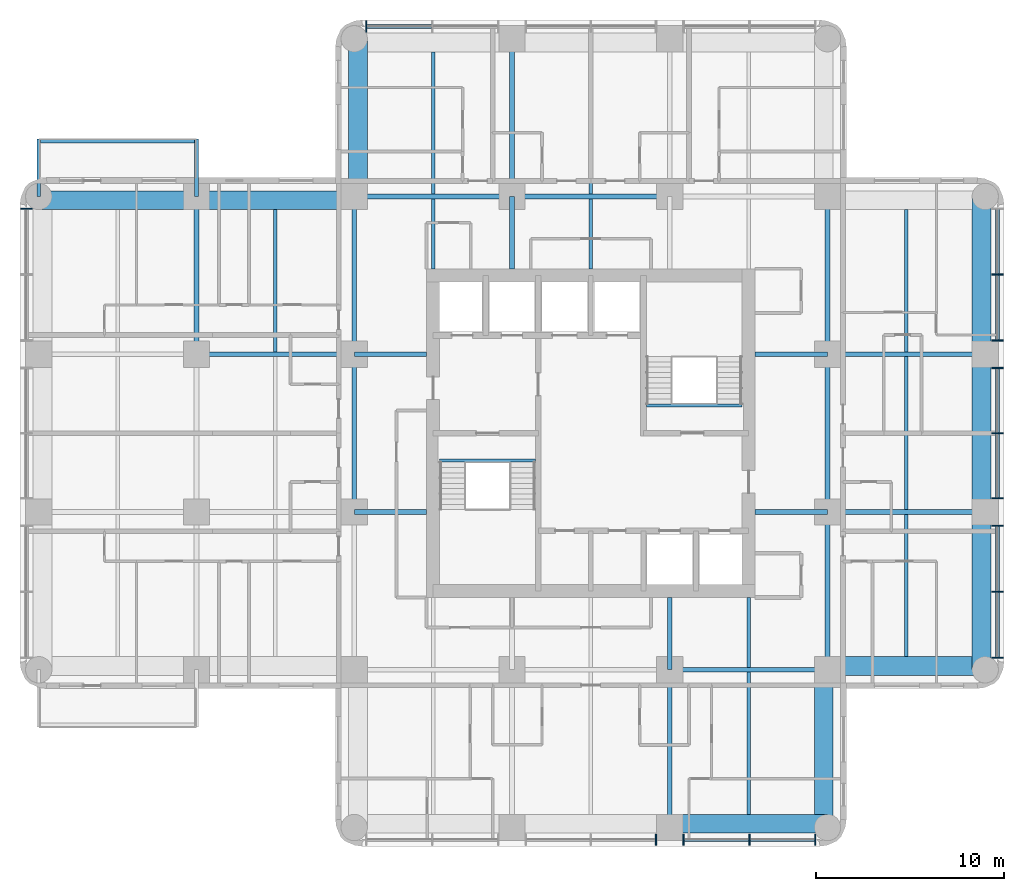
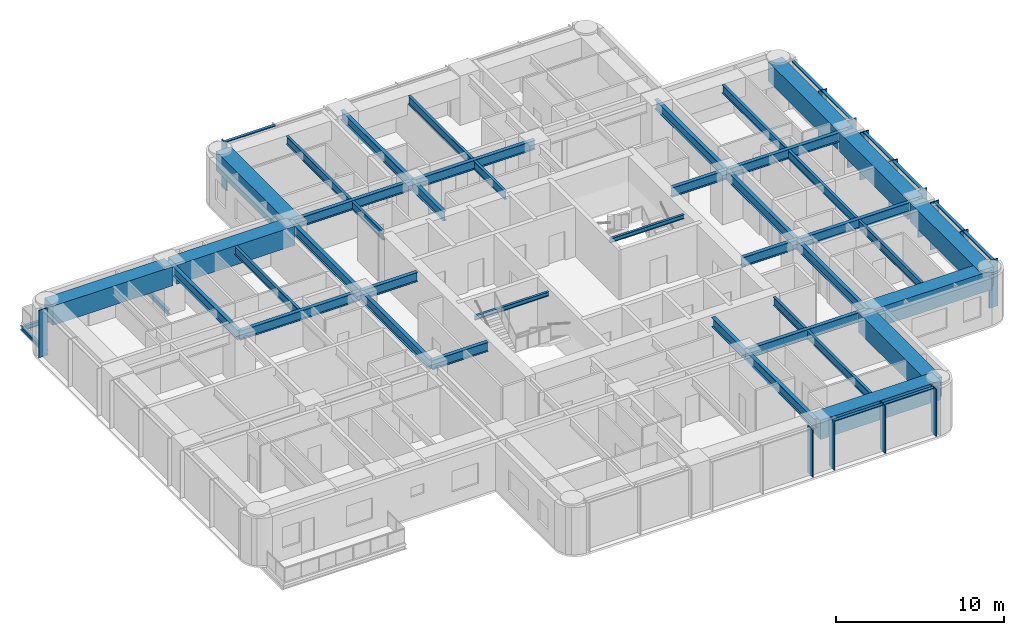
# One storey, part 2 of 11: 44 beams, 23 members, 4 elements without a shape of their own.
"""IFC4 building model written with IfcOpenShell, lengths in metres."""

import ifcopenshell
import ifcopenshell.guid

model = None  # the IFC model being written
_history = None  # IfcOwnerHistory: only IFC2X3 demands one
_inside = {}  # id of a spatial element -> (the spatial element, [elements in it])
_under = {}  # id of a project, library or spatial element -> (it, [spatial elements below it])
_declared = {}  # id of a project -> (the project, [libraries it declares])
_typed = {}  # id of a type object -> (the type object, [elements of that type])
_made_of = {}  # id of a material, layer set ... -> (it, [elements and type objects made of it])


def new_model(schema):
    """Start an empty IFC model of exactly this schema.

    Asked for "IFC4X3", IfcOpenShell would pick the latest addendum, in which some entities
    have other attributes; the version numbers below select the first issue.
    IFC2X3 requires an IfcOwnerHistory on every rooted entity: one is made here for all.
    """
    global model, _history
    if schema == "IFC4X3":
        model = ifcopenshell.file(schema_version=(4, 3, 0, 0))
    else:
        model = ifcopenshell.file(schema=schema)
    _inside.clear()
    _under.clear()
    _declared.clear()
    _typed.clear()
    _made_of.clear()
    _history = None
    if model.schema == "IFC2X3":
        org = make("IfcOrganization", Name="unknown")
        user = make(
            "IfcPersonAndOrganization",
            ThePerson=make("IfcPerson", FamilyName="unknown"),
            TheOrganization=org,
        )
        app = make(
            "IfcApplication",
            ApplicationDeveloper=org,
            Version="unknown",
            ApplicationFullName="unknown",
            ApplicationIdentifier="unknown",
        )
        _history = make(
            "IfcOwnerHistory",
            OwningUser=user,
            OwningApplication=app,
            ChangeAction="ADDED",
            CreationDate=0,
        )
    return model


def make(cls, **values):
    """One entity of the class cls with the attributes given. An attribute that is None is left unset."""
    return model.create_entity(
        cls, **{name: value for name, value in values.items() if value is not None}
    )


def rooted(cls, **values):
    """An entity with a GlobalId (a new one), such as an element, a storey or a relation."""
    return make(cls, GlobalId=ifcopenshell.guid.new(), OwnerHistory=_history, **values)


def si_unit(unit_type, name, prefix=None):
    """IfcSIUnit, for example si_unit("LENGTHUNIT", "METRE", prefix="MILLI")."""
    return make("IfcSIUnit", UnitType=unit_type, Prefix=prefix, Name=name)


def assignment(units):
    """IfcUnitAssignment: the units of a project."""
    return None if units is None else make("IfcUnitAssignment", Units=units)


def point(xyz):
    """IfcCartesianPoint."""
    return None if xyz is None else make("IfcCartesianPoint", Coordinates=xyz)


def direction(xyz):
    """IfcDirection."""
    return None if xyz is None else make("IfcDirection", DirectionRatios=xyz)


def frame(location, z_axis=None, x_axis=None):
    """IfcAxis2Placement3D, a coordinate frame: its origin and axes. An axis left out is left unset."""
    return make(
        "IfcAxis2Placement3D",
        Location=point(location),
        Axis=direction(z_axis),
        RefDirection=direction(x_axis),
    )


def frame_2d(location, x_axis=None):
    """IfcAxis2Placement2D, a coordinate frame in the plane: its origin and x axis."""
    return make(
        "IfcAxis2Placement2D", Location=point(location), RefDirection=direction(x_axis)
    )


def origin():
    """The frame at (0, 0, 0) with its axes left unset."""
    return frame((0.0, 0.0, 0.0))


def origin_2d():
    """The frame at (0, 0) in the plane with its x axis left unset."""
    return frame_2d((0.0, 0.0))


def place(relative_to, where):
    """IfcLocalPlacement: puts the frame where relative to a parent placement (None: the world)."""
    return make(
        "IfcLocalPlacement", PlacementRelTo=relative_to, RelativePlacement=where
    )


def context(
    kind, dimensions, precision=None, world=None, true_north=None, identifier=None
):
    """IfcGeometricRepresentationContext, for example the 3D "Model" context."""
    return make(
        "IfcGeometricRepresentationContext",
        ContextIdentifier=identifier,
        ContextType=kind,
        CoordinateSpaceDimension=dimensions,
        Precision=precision,
        WorldCoordinateSystem=world,
        TrueNorth=true_north,
    )


def subcontext(parent, identifier, kind, view, scale=None):
    """IfcGeometricRepresentationSubContext, for example "Body" below "Model"."""
    return make(
        "IfcGeometricRepresentationSubContext",
        ContextIdentifier=identifier,
        ContextType=kind,
        ParentContext=parent,
        TargetScale=scale,
        TargetView=view,
    )


def project(units=None, contexts=None):
    """IfcProject with its units and contexts."""
    return rooted(
        "IfcProject",
        Name="project",
        RepresentationContexts=contexts,
        UnitsInContext=assignment(units),
    )


def spatial(cls, under=None, at=None, **own):
    """A site, building, storey or space (cls), placed at a placement, below another one or the project."""
    s = rooted(cls, ObjectPlacement=at, **own)
    if under is not None:
        _under.setdefault(under.id(), (under, []))[1].append(s)
    return s


def profile(cls, at=None, kind="AREA", **sizes):
    """A parametric profile (cls). Its sizes go by their IFC names, for example OverallWidth=200.0."""
    return make(cls, ProfileType=kind, Position=at, **sizes)


def rectangle(**sizes):
    """IfcRectangleProfileDef."""
    return profile("IfcRectangleProfileDef", **sizes)


def i_section(**sizes):
    """IfcIShapeProfileDef."""
    return profile("IfcIShapeProfileDef", **sizes)


def extrude(swept, where, along, depth):
    """IfcExtrudedAreaSolid: the profile swept, set in the frame where, extruded along a direction by depth."""
    return make(
        "IfcExtrudedAreaSolid",
        SweptArea=swept,
        Position=where,
        ExtrudedDirection=direction(along),
        Depth=depth,
    )


def shape(context_of_items, identifier, shape_type, items):
    """IfcShapeRepresentation: the items that make up one representation, for example the "Body"."""
    return make(
        "IfcShapeRepresentation",
        ContextOfItems=context_of_items,
        RepresentationIdentifier=identifier,
        RepresentationType=shape_type,
        Items=items,
    )


def material(Name=None, Category=None):
    """IfcMaterial."""
    return make("IfcMaterial", Name=Name, Category=Category)


def material_profile(
    of_material, cross_section, Name=None, Category=None, Priority=None
):
    """IfcMaterialProfile: a cross section and its material."""
    return make(
        "IfcMaterialProfile",
        Name=Name,
        Material=of_material,
        Profile=cross_section,
        Priority=Priority,
        Category=Category,
    )


def profile_set(profiles, Name=None, composite=None):
    """IfcMaterialProfileSet."""
    return make(
        "IfcMaterialProfileSet",
        Name=Name,
        MaterialProfiles=profiles,
        CompositeProfile=composite,
    )


def made_of(thing, what):
    """Note that an element or type object is made of a material, layer set ...; save() writes the relation."""
    if what is not None:
        _made_of.setdefault(what.id(), (what, []))[1].append(thing)
    return thing


def type_object(cls, material=None, **own):
    """A type object (cls), such as IfcWallType, which elements share."""
    return made_of(rooted(cls, **own), material)


def element(
    cls,
    number,
    at=None,
    inside=None,
    cuts=None,
    type_object=None,
    material=None,
    context=None,
    identifier="Body",
    shape_type=None,
    held_by="IfcProductDefinitionShape",
    body=None,
    shapes=None,
    **own,
):
    """One element of the class cls, such as IfcWall. Its Tag is "e" and its number.

    at: its placement. inside: the storey or other place that contains it. cuts: it is an
    opening in that element (IfcRelVoidsElement). A single representation is given by context,
    identifier, shape_type and body (its items); several are given by shapes. held_by: the class
    of the entity that holds the representations. save() writes the other relations.
    """
    e = rooted(cls, Tag="e%d" % number, ObjectPlacement=at, **own)
    if body is not None:
        shapes = [shape(context, identifier, shape_type, body)]
    if shapes is not None:
        e.Representation = make(held_by, Representations=shapes)
    if inside is not None:
        _inside.setdefault(inside.id(), (inside, []))[1].append(e)
    if cuts is not None:
        rooted(
            "IfcRelVoidsElement", RelatingBuildingElement=cuts, RelatedOpeningElement=e
        )
    if type_object is not None:
        _typed.setdefault(type_object.id(), (type_object, []))[1].append(e)
    return made_of(e, material)


def aggregate(whole, parts):
    """IfcRelAggregates: a whole, such as a stair, and the parts it consists of."""
    return rooted("IfcRelAggregates", RelatingObject=whole, RelatedObjects=parts)


def save(model, path):
    """Write the relations noted so far, then the file.

    IfcRelAggregates (storeys below a building ...), IfcRelContainedInSpatialStructure (elements
    in a storey), IfcRelDefinesByType, IfcRelAssociatesMaterial and IfcRelDeclares: one each for
    every whole, place, type object, material and project.
    """
    for whole, parts in _under.values():
        aggregate(whole, parts)
    for where, things in _inside.values():
        rooted(
            "IfcRelContainedInSpatialStructure",
            RelatedElements=things,
            RelatingStructure=where,
        )
    for kind, things in _typed.values():
        rooted("IfcRelDefinesByType", RelatedObjects=things, RelatingType=kind)
    for what, things in _made_of.values():
        rooted("IfcRelAssociatesMaterial", RelatedObjects=things, RelatingMaterial=what)
    for by, libraries in _declared.values():
        rooted("IfcRelDeclares", RelatingContext=by, RelatedDefinitions=libraries)
    model.write(path)


model = new_model("IFC4")

# Units and contexts
model_context = context("Model", 3, precision=1e-05, world=origin(), true_north=direction((0.0, 1.0)))
body_context = subcontext(model_context, "Body", "Model", "MODEL_VIEW")
ifc_project = project(units=[si_unit("LENGTHUNIT", "METRE"), si_unit("AREAUNIT", "SQUARE_METRE"), si_unit("VOLUMEUNIT", "CUBIC_METRE"), si_unit("PLANEANGLEUNIT", "RADIAN"), si_unit("MASSUNIT", "GRAM", prefix="KILO")], contexts=[model_context])

# Site, building, storey
site_placement = place(None, origin())
site = spatial("IfcSite", under=ifc_project, at=site_placement, CompositionType="ELEMENT")
building_placement = place(site_placement, origin())
building = spatial("IfcBuilding", under=site, at=building_placement, Name="Torre Alcanfor", CompositionType="ELEMENT")
storey_placement = place(building_placement, frame((0.0, 0.0, 219.300048828125)))
storey = spatial("IfcBuildingStorey", under=building, at=storey_placement, Name="L57", CompositionType="ELEMENT", Elevation=219.300048828125)

# Beams
ifc_material_1 = material(Name="Steel ASTM A992 Grade 50", Category="steel")
ifc_material_profile_1 = material_profile(ifc_material_1, i_section(OverallWidth=0.205322265625, OverallDepth=0.309814453125, WebThickness=0.00927734375, FlangeThickness=0.016357421875, at=origin_2d()), Name="W12x50")
ifc_profile_set_1 = profile_set([ifc_material_profile_1], Name="Steel ASTM A992 Grade 50")
beam_type_1 = type_object("IfcBeamType", Name="Balcony cantilever beam W12x50", PredefinedType="BEAM", material=ifc_profile_set_1)
for number, where, z_axis, x_axis, name in (
    (1, (8.39990234375, 42.0, -0.35498046875), (0.0, 1.0, 0.0), (-1.0, 0.0, 0.0), "Balcony cantilever beam L57-W2 1"),
    (2, (0.0, 42.0, -0.35498046875), (0.0, 1.0, 0.0), (-1.0, 0.0, 0.0), "Balcony cantilever beam L57-W2 2"),
):
    element("IfcBeam", number, at=place(storey_placement, frame(where, z_axis=z_axis, x_axis=x_axis)), inside=storey, type_object=beam_type_1, Name=name, PredefinedType="BEAM", context=body_context, shape_type="SweptSolid", body=[
        extrude(i_section(OverallWidth=0.205322265625, OverallDepth=0.309814453125, WebThickness=0.00927734375, FlangeThickness=0.016357421875, at=origin_2d()), origin(), (0.0, 0.0, 1.0), 3.050048828125),
    ])
ifc_material_2 = material(Name="Steel ASTM A992 Grade 50", Category="steel")
ifc_material_profile_2 = material_profile(ifc_material_2, i_section(OverallWidth=0.203369140625, OverallDepth=0.30224609375, WebThickness=0.007568359375, FlangeThickness=0.01318359375, at=origin_2d()), Name="W12x40")
ifc_profile_set_2 = profile_set([ifc_material_profile_2], Name="Steel ASTM A992 Grade 50")
beam_type_2 = type_object("IfcBeamType", Name="Balcony edge trimmer W12x40", PredefinedType="BEAM", material=ifc_profile_set_2)
beam_1_placement = place(storey_placement, frame((8.39990234375, 44.9482421875, -0.35107421875), z_axis=(-1.0, 0.0, 0.0), x_axis=(0.0, -1.0, 0.0)))
element("IfcBeam", 3, at=beam_1_placement, inside=storey, type_object=beam_type_2, Name="Balcony edge trimmer L57-W2", PredefinedType="BEAM", context=body_context, shape_type="SweptSolid", body=[
    extrude(i_section(OverallWidth=0.203369140625, OverallDepth=0.30224609375, WebThickness=0.007568359375, FlangeThickness=0.01318359375, at=origin_2d()), origin(), (0.0, 0.0, 1.0), 8.39990234375),
])

# Curtain wall, member
ifc_material_3 = material(Name="Aluminium and glass", Category="aluminium")
curtain_wall_type = type_object("IfcCurtainWallType", Name="CW-A unitised apartment glazing with vertical FIN", PredefinedType="NOTDEFINED", material=ifc_material_3)
curtain_wall_1_placement = place(storey_placement, origin())
curtain_wall_1 = element("IfcCurtainWall", 4, at=curtain_wall_1_placement, inside=storey, type_object=curtain_wall_type, Name="Curtain wall CW-A L57 2", PredefinedType="NOTDEFINED")
ifc_material_4 = material(Name="Bronze anodised aluminium", Category="aluminium")
ifc_material_profile_3 = material_profile(ifc_material_4, rectangle(XDim=0.60009765625, YDim=0.06494140625, at=origin_2d()), Name="CW-A mullion 65x600")
ifc_profile_set_3 = profile_set([ifc_material_profile_3], Name="Bronze anodised aluminium")
member_type_1 = type_object("IfcMemberType", Name="CW-A mullion with vertical FIN 65x600", PredefinedType="MULLION", material=ifc_profile_set_3)
member_1_placement = place(storey_placement, frame((-0.64990234375, 41.35546875, 0.0), z_axis=(0.0, 0.0, 1.0), x_axis=(1.0, 0.0, 0.0)))
member_1 = element("IfcMember", 5, at=member_1_placement, type_object=member_type_1, Name="CW-A mullion 1.1", PredefinedType="MULLION", context=body_context, shape_type="SweptSolid", body=[
    extrude(rectangle(XDim=0.60009765625, YDim=0.06494140625, at=origin_2d()), origin(), (0.0, 0.0, 1.0), 3.449951171875),
])
aggregate(curtain_wall_1, [member_1])

# Curtain wall, members
curtain_wall_2_placement = place(storey_placement, origin())
curtain_wall_2 = element("IfcCurtainWall", 6, at=curtain_wall_2_placement, inside=storey, type_object=curtain_wall_type, Name="Curtain wall CW-A L57 5", PredefinedType="NOTDEFINED")
member_2_placement = place(storey_placement, frame((32.862548828125, 7.75, 0.0), z_axis=(0.0, 0.0, 1.0), x_axis=(0.0, 1.0, 0.0)))
member_2 = element("IfcMember", 7, at=member_2_placement, type_object=member_type_1, Name="CW-A mullion 2.3", PredefinedType="MULLION", context=body_context, shape_type="SweptSolid", body=[
    extrude(rectangle(XDim=0.60009765625, YDim=0.06494140625, at=origin_2d()), origin(), (0.0, 0.0, 1.0), 3.449951171875),
])
member_3_placement = place(storey_placement, frame((34.33740234375, 7.75, 0.0), z_axis=(0.0, 0.0, 1.0), x_axis=(0.0, 1.0, 0.0)))
member_3 = element("IfcMember", 8, at=member_3_placement, type_object=member_type_1, Name="CW-A mullion 3.1", PredefinedType="MULLION", context=body_context, shape_type="SweptSolid", body=[
    extrude(rectangle(XDim=0.60009765625, YDim=0.06494140625, at=origin_2d()), origin(), (0.0, 0.0, 1.0), 3.449951171875),
])
member_4_placement = place(storey_placement, frame((37.846435546875, 7.75, 0.0), z_axis=(0.0, 0.0, 1.0), x_axis=(0.0, 1.0, 0.0)))
member_4 = element("IfcMember", 9, at=member_4_placement, type_object=member_type_1, Name="CW-A mullion 3.2", PredefinedType="MULLION", context=body_context, shape_type="SweptSolid", body=[
    extrude(rectangle(XDim=0.60009765625, YDim=0.06494140625, at=origin_2d()), origin(), (0.0, 0.0, 1.0), 3.449951171875),
])
member_5_placement = place(storey_placement, frame((41.35546875, 7.75, 0.0), z_axis=(0.0, 0.0, 1.0), x_axis=(0.0, 1.0, 0.0)))
member_5 = element("IfcMember", 10, at=member_5_placement, type_object=member_type_1, Name="CW-A mullion 3.3", PredefinedType="MULLION", context=body_context, shape_type="SweptSolid", body=[
    extrude(rectangle(XDim=0.60009765625, YDim=0.06494140625, at=origin_2d()), origin(), (0.0, 0.0, 1.0), 3.449951171875),
])

curtain_wall_3_placement = place(storey_placement, origin())
curtain_wall_3 = element("IfcCurtainWall", 11, at=curtain_wall_3_placement, inside=storey, type_object=curtain_wall_type, Name="Curtain wall CW-A L57 8", PredefinedType="NOTDEFINED")
member_6_placement = place(storey_placement, frame((51.050048828125, 17.444580078125, 0.0), z_axis=(0.0, 0.0, 1.0), x_axis=(-1.0, 0.0, 0.0)))
member_6 = element("IfcMember", 12, at=member_6_placement, type_object=member_type_1, Name="CW-A mullion 1.1", PredefinedType="MULLION", context=body_context, shape_type="SweptSolid", body=[
    extrude(rectangle(XDim=0.60009765625, YDim=0.06494140625, at=origin_2d()), origin(), (0.0, 0.0, 1.0), 3.449951171875),
])
member_7_placement = place(storey_placement, frame((51.050048828125, 20.95361328125, 0.0), z_axis=(0.0, 0.0, 1.0), x_axis=(-1.0, 0.0, 0.0)))
member_7 = element("IfcMember", 13, at=member_7_placement, type_object=member_type_1, Name="CW-A mullion 1.2", PredefinedType="MULLION", context=body_context, shape_type="SweptSolid", body=[
    extrude(rectangle(XDim=0.60009765625, YDim=0.06494140625, at=origin_2d()), origin(), (0.0, 0.0, 1.0), 3.449951171875),
])
member_8_placement = place(storey_placement, frame((51.050048828125, 24.46240234375, 0.0), z_axis=(0.0, 0.0, 1.0), x_axis=(-1.0, 0.0, 0.0)))
member_8 = element("IfcMember", 14, at=member_8_placement, type_object=member_type_1, Name="CW-A mullion 1.3", PredefinedType="MULLION", context=body_context, shape_type="SweptSolid", body=[
    extrude(rectangle(XDim=0.60009765625, YDim=0.06494140625, at=origin_2d()), origin(), (0.0, 0.0, 1.0), 3.449951171875),
])
member_9_placement = place(storey_placement, frame((51.050048828125, 25.9375, 0.0), z_axis=(0.0, 0.0, 1.0), x_axis=(-1.0, 0.0, 0.0)))
member_9 = element("IfcMember", 15, at=member_9_placement, type_object=member_type_1, Name="CW-A mullion 2.1", PredefinedType="MULLION", context=body_context, shape_type="SweptSolid", body=[
    extrude(rectangle(XDim=0.60009765625, YDim=0.06494140625, at=origin_2d()), origin(), (0.0, 0.0, 1.0), 3.449951171875),
])
member_10_placement = place(storey_placement, frame((51.050048828125, 29.39990234375, 0.0), z_axis=(0.0, 0.0, 1.0), x_axis=(-1.0, 0.0, 0.0)))
member_10 = element("IfcMember", 16, at=member_10_placement, type_object=member_type_1, Name="CW-A mullion 2.2", PredefinedType="MULLION", context=body_context, shape_type="SweptSolid", body=[
    extrude(rectangle(XDim=0.60009765625, YDim=0.06494140625, at=origin_2d()), origin(), (0.0, 0.0, 1.0), 3.449951171875),
])
member_11_placement = place(storey_placement, frame((51.050048828125, 32.862548828125, 0.0), z_axis=(0.0, 0.0, 1.0), x_axis=(-1.0, 0.0, 0.0)))
member_11 = element("IfcMember", 17, at=member_11_placement, type_object=member_type_1, Name="CW-A mullion 2.3", PredefinedType="MULLION", context=body_context, shape_type="SweptSolid", body=[
    extrude(rectangle(XDim=0.60009765625, YDim=0.06494140625, at=origin_2d()), origin(), (0.0, 0.0, 1.0), 3.449951171875),
])
member_12_placement = place(storey_placement, frame((51.050048828125, 34.33740234375, 0.0), z_axis=(0.0, 0.0, 1.0), x_axis=(-1.0, 0.0, 0.0)))
member_12 = element("IfcMember", 18, at=member_12_placement, type_object=member_type_1, Name="CW-A mullion 3.1", PredefinedType="MULLION", context=body_context, shape_type="SweptSolid", body=[
    extrude(rectangle(XDim=0.60009765625, YDim=0.06494140625, at=origin_2d()), origin(), (0.0, 0.0, 1.0), 3.449951171875),
])
member_13_placement = place(storey_placement, frame((51.050048828125, 37.846435546875, 0.0), z_axis=(0.0, 0.0, 1.0), x_axis=(-1.0, 0.0, 0.0)))
member_13 = element("IfcMember", 19, at=member_13_placement, type_object=member_type_1, Name="CW-A mullion 3.2", PredefinedType="MULLION", context=body_context, shape_type="SweptSolid", body=[
    extrude(rectangle(XDim=0.60009765625, YDim=0.06494140625, at=origin_2d()), origin(), (0.0, 0.0, 1.0), 3.449951171875),
])

# Curtain wall, member
curtain_wall_4_placement = place(storey_placement, origin())
curtain_wall_4 = element("IfcCurtainWall", 20, at=curtain_wall_4_placement, inside=storey, type_object=curtain_wall_type, Name="Curtain wall CW-A L57 11", PredefinedType="NOTDEFINED")
member_14_placement = place(storey_placement, frame((17.444580078125, 51.050048828125, 0.0), z_axis=(0.0, 0.0, 1.0), x_axis=(0.0, -1.0, 0.0)))
member_14 = element("IfcMember", 21, at=member_14_placement, type_object=member_type_1, Name="CW-A mullion 3.3", PredefinedType="MULLION", context=body_context, shape_type="SweptSolid", body=[
    extrude(rectangle(XDim=0.60009765625, YDim=0.06494140625, at=origin_2d()), origin(), (0.0, 0.0, 1.0), 3.449951171875),
])

# Member
ifc_material_5 = material(Name="Extruded aluminium", Category="aluminium")
ifc_material_profile_4 = material_profile(ifc_material_5, rectangle(XDim=0.199951171875, YDim=0.06494140625, at=origin_2d()), Name="CW-A transom 200x65")
ifc_profile_set_4 = profile_set([ifc_material_profile_4], Name="Extruded aluminium")
member_type_2 = type_object("IfcMemberType", Name="CW-A transom 65x200", PredefinedType="USERDEFINED", material=ifc_profile_set_4)
member_15_placement = place(storey_placement, frame((34.3701171875, 7.75, 3.41748046875), z_axis=(1.0, 0.0, 0.0), x_axis=(0.0, 1.0, 0.0)))
member_15 = element("IfcMember", 22, at=member_15_placement, type_object=member_type_2, Name="CW-A transom 3.1.2", ObjectType="TRANSOM", PredefinedType="USERDEFINED", context=body_context, shape_type="SweptSolid", body=[
    extrude(rectangle(XDim=0.199951171875, YDim=0.06494140625, at=origin_2d()), origin(), (0.0, 0.0, 1.0), 3.44384765625),
])

member_16_placement = place(storey_placement, frame((37.87890625, 7.75, 3.41748046875), z_axis=(1.0, 0.0, 0.0), x_axis=(0.0, 1.0, 0.0)))
member_16 = element("IfcMember", 23, at=member_16_placement, type_object=member_type_2, Name="CW-A transom 3.2.2", ObjectType="TRANSOM", PredefinedType="USERDEFINED", context=body_context, shape_type="SweptSolid", body=[
    extrude(rectangle(XDim=0.199951171875, YDim=0.06494140625, at=origin_2d()), origin(), (0.0, 0.0, 1.0), 3.444091796875),
])

aggregate(curtain_wall_2, [member_2, member_3, member_4, member_5, member_15, member_16])

member_17_placement = place(storey_placement, frame((51.050048828125, 17.47705078125, 3.41748046875), z_axis=(0.0, 1.0, 0.0), x_axis=(-1.0, 0.0, 0.0)))
member_17 = element("IfcMember", 24, at=member_17_placement, type_object=member_type_2, Name="CW-A transom 1.1.2", ObjectType="TRANSOM", PredefinedType="USERDEFINED", context=body_context, shape_type="SweptSolid", body=[
    extrude(rectangle(XDim=0.199951171875, YDim=0.06494140625, at=origin_2d()), origin(), (0.0, 0.0, 1.0), 3.44384765625),
])

member_18_placement = place(storey_placement, frame((51.050048828125, 20.986083984375, 3.41748046875), z_axis=(0.0, 1.0, 0.0), x_axis=(-1.0, 0.0, 0.0)))
member_18 = element("IfcMember", 25, at=member_18_placement, type_object=member_type_2, Name="CW-A transom 1.2.2", ObjectType="TRANSOM", PredefinedType="USERDEFINED", context=body_context, shape_type="SweptSolid", body=[
    extrude(rectangle(XDim=0.199951171875, YDim=0.06494140625, at=origin_2d()), origin(), (0.0, 0.0, 1.0), 3.44384765625),
])

member_19_placement = place(storey_placement, frame((51.050048828125, 25.969970703125, 3.41748046875), z_axis=(0.0, 1.0, 0.0), x_axis=(-1.0, 0.0, 0.0)))
member_19 = element("IfcMember", 26, at=member_19_placement, type_object=member_type_2, Name="CW-A transom 2.1.2", ObjectType="TRANSOM", PredefinedType="USERDEFINED", context=body_context, shape_type="SweptSolid", body=[
    extrude(rectangle(XDim=0.199951171875, YDim=0.06494140625, at=origin_2d()), origin(), (0.0, 0.0, 1.0), 3.3974609375),
])

member_20_placement = place(storey_placement, frame((51.050048828125, 29.4326171875, 3.41748046875), z_axis=(0.0, 1.0, 0.0), x_axis=(-1.0, 0.0, 0.0)))
member_20 = element("IfcMember", 27, at=member_20_placement, type_object=member_type_2, Name="CW-A transom 2.2.2", ObjectType="TRANSOM", PredefinedType="USERDEFINED", context=body_context, shape_type="SweptSolid", body=[
    extrude(rectangle(XDim=0.199951171875, YDim=0.06494140625, at=origin_2d()), origin(), (0.0, 0.0, 1.0), 3.3974609375),
])

member_21_placement = place(storey_placement, frame((51.050048828125, 34.3701171875, 3.41748046875), z_axis=(0.0, 1.0, 0.0), x_axis=(-1.0, 0.0, 0.0)))
member_21 = element("IfcMember", 28, at=member_21_placement, type_object=member_type_2, Name="CW-A transom 3.1.2", ObjectType="TRANSOM", PredefinedType="USERDEFINED", context=body_context, shape_type="SweptSolid", body=[
    extrude(rectangle(XDim=0.199951171875, YDim=0.06494140625, at=origin_2d()), origin(), (0.0, 0.0, 1.0), 3.44384765625),
])

member_22_placement = place(storey_placement, frame((51.050048828125, 37.87890625, 3.41748046875), z_axis=(0.0, 1.0, 0.0), x_axis=(-1.0, 0.0, 0.0)))
member_22 = element("IfcMember", 29, at=member_22_placement, type_object=member_type_2, Name="CW-A transom 3.2.2", ObjectType="TRANSOM", PredefinedType="USERDEFINED", context=body_context, shape_type="SweptSolid", body=[
    extrude(rectangle(XDim=0.199951171875, YDim=0.06494140625, at=origin_2d()), origin(), (0.0, 0.0, 1.0), 3.444091796875),
])

aggregate(curtain_wall_3, [member_6, member_7, member_8, member_17, member_18, member_9, member_10, member_11, member_19, member_20, member_12, member_13, member_21, member_22])

member_23_placement = place(storey_placement, frame((20.9208984375, 51.050048828125, 3.41748046875), z_axis=(-1.0, 0.0, 0.0), x_axis=(0.0, -1.0, 0.0)))
member_23 = element("IfcMember", 30, at=member_23_placement, type_object=member_type_2, Name="CW-A transom 3.2.2", ObjectType="TRANSOM", PredefinedType="USERDEFINED", context=body_context, shape_type="SweptSolid", body=[
    extrude(rectangle(XDim=0.199951171875, YDim=0.06494140625, at=origin_2d()), origin(), (0.0, 0.0, 1.0), 3.44384765625),
])

aggregate(curtain_wall_4, [member_14, member_23])

# Beams
ifc_material_6 = material(Name="Steel ASTM A992 Grade 50", Category="steel")
ifc_material_profile_5 = material_profile(ifc_material_6, i_section(OverallWidth=0.25390625, OverallDepth=0.683349609375, WebThickness=0.012451171875, FlangeThickness=0.01904296875, at=origin_2d()), Name="W27x94")
ifc_profile_set_5 = profile_set([ifc_material_profile_5], Name="Steel ASTM A992 Grade 50")
beam_type_3 = type_object("IfcBeamType", Name="Girder W27x94", PredefinedType="BEAM", material=ifc_profile_set_5)
for number, where, z_axis, x_axis, name in (
    (31, (33.60009765625, 16.800048828125, 3.1083984375), (1.0, 0.0, 0.0), (0.0, 1.0, 0.0), "Beam 5E-6E under L58"),
    (32, (42.0, 25.199951171875, 3.1083984375), (1.0, 0.0, 0.0), (0.0, 1.0, 0.0), "Beam 6F-7F under L58"),
):
    element("IfcBeam", number, at=place(storey_placement, frame(where, z_axis=z_axis, x_axis=x_axis)), inside=storey, type_object=beam_type_3, Name=name, PredefinedType="BEAM", context=body_context, shape_type="SweptSolid", body=[
        extrude(i_section(OverallWidth=0.25390625, OverallDepth=0.683349609375, WebThickness=0.012451171875, FlangeThickness=0.01904296875, at=origin_2d()), origin(), (0.0, 0.0, 1.0), 8.39990234375),
    ])
beam_2_placement = place(storey_placement, frame((8.39990234375, 33.60009765625, 3.1083984375), z_axis=(1.0, 0.0, 0.0), x_axis=(0.0, 1.0, 0.0)))
element("IfcBeam", 33, at=beam_2_placement, inside=storey, type_object=beam_type_3, Name="Beam 2G-3G under L58", PredefinedType="BEAM", context=body_context, shape_type="SweptSolid", body=[
    extrude(i_section(OverallWidth=0.25390625, OverallDepth=0.683349609375, WebThickness=0.012451171875, FlangeThickness=0.01904296875, at=origin_2d()), origin(), (0.0, 0.0, 1.0), 8.400146484375),
])
for number, where, z_axis, x_axis, name in (
    (34, (42.0, 33.60009765625, 3.1083984375), (1.0, 0.0, 0.0), (0.0, 1.0, 0.0), "Beam 6G-7G under L58"),
    (35, (16.800048828125, 42.0, 3.1083984375), (1.0, 0.0, 0.0), (0.0, 1.0, 0.0), "Beam 3H-4H under L58"),
):
    element("IfcBeam", number, at=place(storey_placement, frame(where, z_axis=z_axis, x_axis=x_axis)), inside=storey, type_object=beam_type_3, Name=name, PredefinedType="BEAM", context=body_context, shape_type="SweptSolid", body=[
        extrude(i_section(OverallWidth=0.25390625, OverallDepth=0.683349609375, WebThickness=0.012451171875, FlangeThickness=0.01904296875, at=origin_2d()), origin(), (0.0, 0.0, 1.0), 8.39990234375),
    ])
beam_3_placement = place(storey_placement, frame((25.199951171875, 42.0, 3.1083984375), z_axis=(1.0, 0.0, 0.0), x_axis=(0.0, 1.0, 0.0)))
element("IfcBeam", 36, at=beam_3_placement, inside=storey, type_object=beam_type_3, Name="Beam 4H-5H under L58", PredefinedType="BEAM", context=body_context, shape_type="SweptSolid", body=[
    extrude(i_section(OverallWidth=0.25390625, OverallDepth=0.683349609375, WebThickness=0.012451171875, FlangeThickness=0.01904296875, at=origin_2d()), origin(), (0.0, 0.0, 1.0), 8.400146484375),
])
beam_4_placement = place(storey_placement, frame((8.39990234375, 33.60009765625, 3.1083984375), z_axis=(0.0, 1.0, 0.0), x_axis=(-1.0, 0.0, 0.0)))
element("IfcBeam", 37, at=beam_4_placement, inside=storey, type_object=beam_type_3, Name="Beam 2G-2H under L58", PredefinedType="BEAM", context=body_context, shape_type="SweptSolid", body=[
    extrude(i_section(OverallWidth=0.25390625, OverallDepth=0.683349609375, WebThickness=0.012451171875, FlangeThickness=0.01904296875, at=origin_2d()), origin(), (0.0, 0.0, 1.0), 8.39990234375),
])
beam_5_placement = place(storey_placement, frame((16.800048828125, 25.199951171875, 3.1083984375), z_axis=(0.0, 1.0, 0.0), x_axis=(-1.0, 0.0, 0.0)))
element("IfcBeam", 38, at=beam_5_placement, inside=storey, type_object=beam_type_3, Name="Beam 3F-3G under L58", PredefinedType="BEAM", context=body_context, shape_type="SweptSolid", body=[
    extrude(i_section(OverallWidth=0.25390625, OverallDepth=0.683349609375, WebThickness=0.012451171875, FlangeThickness=0.01904296875, at=origin_2d()), origin(), (0.0, 0.0, 1.0), 8.400146484375),
])
for number, where, z_axis, x_axis, name in (
    (39, (16.800048828125, 33.60009765625, 3.1083984375), (0.0, 1.0, 0.0), (-1.0, 0.0, 0.0), "Beam 3G-3H under L58"),
    (40, (25.199951171875, 42.0, 3.1083984375), (0.0, 1.0, 0.0), (-1.0, 0.0, 0.0), "Beam 4H-4J under L58"),
):
    element("IfcBeam", number, at=place(storey_placement, frame(where, z_axis=z_axis, x_axis=x_axis)), inside=storey, type_object=beam_type_3, Name=name, PredefinedType="BEAM", context=body_context, shape_type="SweptSolid", body=[
        extrude(i_section(OverallWidth=0.25390625, OverallDepth=0.683349609375, WebThickness=0.012451171875, FlangeThickness=0.01904296875, at=origin_2d()), origin(), (0.0, 0.0, 1.0), 8.39990234375),
    ])
beam_6_placement = place(storey_placement, frame((33.60009765625, 8.39990234375, 3.1083984375), z_axis=(0.0, 1.0, 0.0), x_axis=(-1.0, 0.0, 0.0)))
element("IfcBeam", 41, at=beam_6_placement, inside=storey, type_object=beam_type_3, Name="Beam 5D-5E under L58", PredefinedType="BEAM", context=body_context, shape_type="SweptSolid", body=[
    extrude(i_section(OverallWidth=0.25390625, OverallDepth=0.683349609375, WebThickness=0.012451171875, FlangeThickness=0.01904296875, at=origin_2d()), origin(), (0.0, 0.0, 1.0), 8.400146484375),
])
beam_7_placement = place(storey_placement, frame((42.0, 16.800048828125, 3.1083984375), z_axis=(0.0, 1.0, 0.0), x_axis=(-1.0, 0.0, 0.0)))
element("IfcBeam", 42, at=beam_7_placement, inside=storey, type_object=beam_type_3, Name="Beam 6E-6F under L58", PredefinedType="BEAM", context=body_context, shape_type="SweptSolid", body=[
    extrude(i_section(OverallWidth=0.25390625, OverallDepth=0.683349609375, WebThickness=0.012451171875, FlangeThickness=0.01904296875, at=origin_2d()), origin(), (0.0, 0.0, 1.0), 8.39990234375),
])
beam_8_placement = place(storey_placement, frame((42.0, 25.199951171875, 3.1083984375), z_axis=(0.0, 1.0, 0.0), x_axis=(-1.0, 0.0, 0.0)))
element("IfcBeam", 43, at=beam_8_placement, inside=storey, type_object=beam_type_3, Name="Beam 6F-6G under L58", PredefinedType="BEAM", context=body_context, shape_type="SweptSolid", body=[
    extrude(i_section(OverallWidth=0.25390625, OverallDepth=0.683349609375, WebThickness=0.012451171875, FlangeThickness=0.01904296875, at=origin_2d()), origin(), (0.0, 0.0, 1.0), 8.400146484375),
])
beam_9_placement = place(storey_placement, frame((42.0, 33.60009765625, 3.1083984375), z_axis=(0.0, 1.0, 0.0), x_axis=(-1.0, 0.0, 0.0)))
element("IfcBeam", 44, at=beam_9_placement, inside=storey, type_object=beam_type_3, Name="Beam 6G-6H under L58", PredefinedType="BEAM", context=body_context, shape_type="SweptSolid", body=[
    extrude(i_section(OverallWidth=0.25390625, OverallDepth=0.683349609375, WebThickness=0.012451171875, FlangeThickness=0.01904296875, at=origin_2d()), origin(), (0.0, 0.0, 1.0), 8.39990234375),
])
ifc_material_7 = material(Name="Steel ASTM A992 Grade 50", Category="steel")
ifc_material_profile_6 = material_profile(ifc_material_7, i_section(OverallWidth=0.25390625, OverallDepth=0.683349609375, WebThickness=0.012451171875, FlangeThickness=0.01904296875, at=origin_2d()), Name="W27x94")
ifc_profile_set_6 = profile_set([ifc_material_profile_6], Name="Steel ASTM A992 Grade 50")
beam_type_4 = type_object("IfcBeamType", Name="Girder, part bay W27x94", PredefinedType="BEAM", material=ifc_profile_set_6)
beam_10_placement = place(storey_placement, frame((25.199951171875, 42.0, 3.1083984375), z_axis=(0.0, -1.0, 0.0), x_axis=(1.0, 0.0, 0.0)))
element("IfcBeam", 45, at=beam_10_placement, inside=storey, type_object=beam_type_4, Name="Beam 4H-438_15 under L58", PredefinedType="BEAM", context=body_context, shape_type="SweptSolid", body=[
    extrude(i_section(OverallWidth=0.25390625, OverallDepth=0.683349609375, WebThickness=0.012451171875, FlangeThickness=0.01904296875, at=origin_2d()), origin(), (0.0, 0.0, 1.0), 3.85009765625),
])
for number, where, z_axis, x_axis, name in (
    (46, (33.60009765625, 16.800048828125, 3.1083984375), (0.0, 1.0, 0.0), (-1.0, 0.0, 0.0), "Beam 5E-520_65 under L58"),
    (47, (16.800048828125, 25.199951171875, 3.1083984375), (1.0, 0.0, 0.0), (0.0, 1.0, 0.0), "Beam 3F-20_65F under L58"),
):
    element("IfcBeam", number, at=place(storey_placement, frame(where, z_axis=z_axis, x_axis=x_axis)), inside=storey, type_object=beam_type_4, Name=name, PredefinedType="BEAM", context=body_context, shape_type="SweptSolid", body=[
        extrude(i_section(OverallWidth=0.25390625, OverallDepth=0.683349609375, WebThickness=0.012451171875, FlangeThickness=0.01904296875, at=origin_2d()), origin(), (0.0, 0.0, 1.0), 3.849853515625),
    ])
beam_11_placement = place(storey_placement, frame((42.0, 25.199951171875, 3.1083984375), z_axis=(-1.0, 0.0, 0.0), x_axis=(0.0, -1.0, 0.0)))
element("IfcBeam", 48, at=beam_11_placement, inside=storey, type_object=beam_type_4, Name="Beam 6F-38_15F under L58", PredefinedType="BEAM", context=body_context, shape_type="SweptSolid", body=[
    extrude(i_section(OverallWidth=0.25390625, OverallDepth=0.683349609375, WebThickness=0.012451171875, FlangeThickness=0.01904296875, at=origin_2d()), origin(), (0.0, 0.0, 1.0), 3.85009765625),
])
beam_12_placement = place(storey_placement, frame((16.800048828125, 33.60009765625, 3.1083984375), z_axis=(1.0, 0.0, 0.0), x_axis=(0.0, 1.0, 0.0)))
element("IfcBeam", 49, at=beam_12_placement, inside=storey, type_object=beam_type_4, Name="Beam 3G-20_65G under L58", PredefinedType="BEAM", context=body_context, shape_type="SweptSolid", body=[
    extrude(i_section(OverallWidth=0.25390625, OverallDepth=0.683349609375, WebThickness=0.012451171875, FlangeThickness=0.01904296875, at=origin_2d()), origin(), (0.0, 0.0, 1.0), 3.849853515625),
])
beam_13_placement = place(storey_placement, frame((42.0, 33.60009765625, 3.1083984375), z_axis=(-1.0, 0.0, 0.0), x_axis=(0.0, -1.0, 0.0)))
element("IfcBeam", 50, at=beam_13_placement, inside=storey, type_object=beam_type_4, Name="Beam 6G-38_15G under L58", PredefinedType="BEAM", context=body_context, shape_type="SweptSolid", body=[
    extrude(i_section(OverallWidth=0.25390625, OverallDepth=0.683349609375, WebThickness=0.012451171875, FlangeThickness=0.01904296875, at=origin_2d()), origin(), (0.0, 0.0, 1.0), 3.85009765625),
])
ifc_material_8 = material(Name="Concrete f'c 70 MPa", Category="concrete")
ifc_material_profile_7 = material_profile(ifc_material_8, rectangle(XDim=1.0, YDim=1.39990234375, at=origin_2d()), Name="1000x1400")
ifc_profile_set_7 = profile_set([ifc_material_profile_7], Name="Concrete f'c 70 MPa")
beam_type_5 = type_object("IfcBeamType", Name="RC perimeter beam 1000x1400", PredefinedType="BEAM", material=ifc_profile_set_7)
for number, where, z_axis, x_axis, name in (
    (51, (33.72705078125, 8.60009765625, 2.75), (1.0, 0.0, 0.0), (0.0, 1.0, 0.0), "Beam 5D-6D under L58"),
    (52, (42.126953125, 17.0, 2.75), (1.0, 0.0, 0.0), (0.0, 1.0, 0.0), "Beam 6E-7E under L58"),
    (53, (0.0, 41.800048828125, 2.75), (1.0, 0.0, 0.0), (0.0, 1.0, 0.0), "Beam 1H-2H under L58"),
):
    element("IfcBeam", number, at=place(storey_placement, frame(where, z_axis=z_axis, x_axis=x_axis)), inside=storey, type_object=beam_type_5, Name=name, PredefinedType="BEAM", context=body_context, shape_type="SweptSolid", body=[
        extrude(rectangle(XDim=1.0, YDim=1.39990234375, at=origin_2d()), origin(), (0.0, 0.0, 1.0), 8.27294921875),
    ])
beam_14_placement = place(storey_placement, frame((8.527099609375, 41.800048828125, 2.75), z_axis=(1.0, 0.0, 0.0), x_axis=(0.0, 1.0, 0.0)))
element("IfcBeam", 54, at=beam_14_placement, inside=storey, type_object=beam_type_5, Name="Beam 2H-3H under L58", PredefinedType="BEAM", context=body_context, shape_type="SweptSolid", body=[
    extrude(rectangle(XDim=1.0, YDim=1.39990234375, at=origin_2d()), origin(), (0.0, 0.0, 1.0), 8.14599609375),
])
beam_15_placement = place(storey_placement, frame((17.0, 42.126953125, 2.75), z_axis=(0.0, 1.0, 0.0), x_axis=(-1.0, 0.0, 0.0)))
element("IfcBeam", 55, at=beam_15_placement, inside=storey, type_object=beam_type_5, Name="Beam 3H-3J under L58", PredefinedType="BEAM", context=body_context, shape_type="SweptSolid", body=[
    extrude(rectangle(XDim=1.0, YDim=1.39990234375, at=origin_2d()), origin(), (0.0, 0.0, 1.0), 8.27294921875),
])
beam_16_placement = place(storey_placement, frame((41.800048828125, 8.39990234375, 2.75), z_axis=(0.0, 1.0, 0.0), x_axis=(-1.0, 0.0, 0.0)))
element("IfcBeam", 56, at=beam_16_placement, inside=storey, type_object=beam_type_5, Name="Beam 6D-6E under L58", PredefinedType="BEAM", context=body_context, shape_type="SweptSolid", body=[
    extrude(rectangle(XDim=1.0, YDim=1.39990234375, at=origin_2d()), origin(), (0.0, 0.0, 1.0), 8.273193359375),
])
beam_17_placement = place(storey_placement, frame((50.199951171875, 16.800048828125, 2.75), z_axis=(0.0, 1.0, 0.0), x_axis=(-1.0, 0.0, 0.0)))
element("IfcBeam", 57, at=beam_17_placement, inside=storey, type_object=beam_type_5, Name="Beam 7E-7F under L58", PredefinedType="BEAM", context=body_context, shape_type="SweptSolid", body=[
    extrude(rectangle(XDim=1.0, YDim=1.39990234375, at=origin_2d()), origin(), (0.0, 0.0, 1.0), 8.27294921875),
])
beam_18_placement = place(storey_placement, frame((50.199951171875, 25.326904296875, 2.75), z_axis=(0.0, 1.0, 0.0), x_axis=(-1.0, 0.0, 0.0)))
element("IfcBeam", 58, at=beam_18_placement, inside=storey, type_object=beam_type_5, Name="Beam 7F-7G under L58", PredefinedType="BEAM", context=body_context, shape_type="SweptSolid", body=[
    extrude(rectangle(XDim=1.0, YDim=1.39990234375, at=origin_2d()), origin(), (0.0, 0.0, 1.0), 8.14599609375),
])
beam_19_placement = place(storey_placement, frame((50.199951171875, 33.72705078125, 2.75), z_axis=(0.0, 1.0, 0.0), x_axis=(-1.0, 0.0, 0.0)))
element("IfcBeam", 59, at=beam_19_placement, inside=storey, type_object=beam_type_5, Name="Beam 7G-7H under L58", PredefinedType="BEAM", context=body_context, shape_type="SweptSolid", body=[
    extrude(rectangle(XDim=1.0, YDim=1.39990234375, at=origin_2d()), origin(), (0.0, 0.0, 1.0), 8.27294921875),
])
ifc_material_9 = material(Name="Steel ASTM A992 Grade 50", Category="steel")
ifc_material_profile_8 = material_profile(ifc_material_9, i_section(OverallWidth=0.1787109375, OverallDepth=0.60205078125, WebThickness=0.010986328125, FlangeThickness=0.014892578125, at=origin_2d()), Name="W24x62")
ifc_profile_set_8 = profile_set([ifc_material_profile_8], Name="Steel ASTM A992 Grade 50")
beam_type_6 = type_object("IfcBeamType", Name="Secondary beam W24x62", PredefinedType="BEAM", material=ifc_profile_set_8)
for number, where, z_axis, x_axis, name in (
    (60, (12.60009765625, 33.72705078125, 3.14892578125), (0.0, 1.0, 0.0), (-1.0, 0.0, 0.0), "Beam 12_6G-12_6H under L58"),
    (61, (21.0, 42.126953125, 3.14892578125), (0.0, 1.0, 0.0), (-1.0, 0.0, 0.0), "Beam 21H-21J under L58"),
    (62, (29.39990234375, 42.126953125, 3.14892578125), (0.0, 1.0, 0.0), (-1.0, 0.0, 0.0), "Beam 29_4H-29_4J under L58"),
    (63, (37.800048828125, 9.10009765625, 3.14892578125), (0.0, 1.0, 0.0), (-1.0, 0.0, 0.0), "Beam 37_8D-37_8E under L58"),
    (64, (46.199951171875, 17.5, 3.14892578125), (0.0, 1.0, 0.0), (-1.0, 0.0, 0.0), "Beam 46_2E-46_2F under L58"),
):
    element("IfcBeam", number, at=place(storey_placement, frame(where, z_axis=z_axis, x_axis=x_axis)), inside=storey, type_object=beam_type_6, Name=name, PredefinedType="BEAM", context=body_context, shape_type="SweptSolid", body=[
        extrude(i_section(OverallWidth=0.1787109375, OverallDepth=0.60205078125, WebThickness=0.010986328125, FlangeThickness=0.014892578125, at=origin_2d()), origin(), (0.0, 0.0, 1.0), 7.572998046875),
    ])
beam_20_placement = place(storey_placement, frame((46.199951171875, 25.326904296875, 3.14892578125), z_axis=(0.0, 1.0, 0.0), x_axis=(-1.0, 0.0, 0.0)))
element("IfcBeam", 65, at=beam_20_placement, inside=storey, type_object=beam_type_6, Name="Beam 46_2F-46_2G under L58", PredefinedType="BEAM", context=body_context, shape_type="SweptSolid", body=[
    extrude(i_section(OverallWidth=0.1787109375, OverallDepth=0.60205078125, WebThickness=0.010986328125, FlangeThickness=0.014892578125, at=origin_2d()), origin(), (0.0, 0.0, 1.0), 8.14599609375),
])
beam_21_placement = place(storey_placement, frame((46.199951171875, 33.72705078125, 3.14892578125), z_axis=(0.0, 1.0, 0.0), x_axis=(-1.0, 0.0, 0.0)))
element("IfcBeam", 66, at=beam_21_placement, inside=storey, type_object=beam_type_6, Name="Beam 46_2G-46_2H under L58", PredefinedType="BEAM", context=body_context, shape_type="SweptSolid", body=[
    extrude(i_section(OverallWidth=0.1787109375, OverallDepth=0.60205078125, WebThickness=0.010986328125, FlangeThickness=0.014892578125, at=origin_2d()), origin(), (0.0, 0.0, 1.0), 7.572998046875),
])
ifc_material_10 = material(Name="Steel ASTM A992 Grade 50", Category="steel")
ifc_material_profile_9 = material_profile(ifc_material_10, i_section(OverallWidth=0.1787109375, OverallDepth=0.60205078125, WebThickness=0.010986328125, FlangeThickness=0.014892578125, at=origin_2d()), Name="W24x62")
ifc_profile_set_9 = profile_set([ifc_material_profile_9], Name="Steel ASTM A992 Grade 50")
beam_type_7 = type_object("IfcBeamType", Name="Secondary beam, part bay W24x62", PredefinedType="BEAM", material=ifc_profile_set_9)
for number, where, z_axis, x_axis, name in (
    (67, (21.0, 38.14990234375, 3.14892578125), (0.0, 1.0, 0.0), (-1.0, 0.0, 0.0), "Beam 2138_15-21H under L58"),
    (68, (29.39990234375, 38.14990234375, 3.14892578125), (0.0, 1.0, 0.0), (-1.0, 0.0, 0.0), "Beam 29_438_15-29_4H under L58"),
):
    element("IfcBeam", number, at=place(storey_placement, frame(where, z_axis=z_axis, x_axis=x_axis)), inside=storey, type_object=beam_type_7, Name=name, PredefinedType="BEAM", context=body_context, shape_type="SweptSolid", body=[
        extrude(i_section(OverallWidth=0.1787109375, OverallDepth=0.60205078125, WebThickness=0.010986328125, FlangeThickness=0.014892578125, at=origin_2d()), origin(), (0.0, 0.0, 1.0), 3.72314453125),
    ])
beam_22_placement = place(storey_placement, frame((37.800048828125, 16.927001953125, 3.14892578125), z_axis=(0.0, 1.0, 0.0), x_axis=(-1.0, 0.0, 0.0)))
element("IfcBeam", 69, at=beam_22_placement, inside=storey, type_object=beam_type_7, Name="Beam 37_8E-37_820_65 under L58", PredefinedType="BEAM", context=body_context, shape_type="SweptSolid", body=[
    extrude(i_section(OverallWidth=0.1787109375, OverallDepth=0.60205078125, WebThickness=0.010986328125, FlangeThickness=0.014892578125, at=origin_2d()), origin(), (0.0, 0.0, 1.0), 3.722900390625),
])
ifc_material_11 = material(Name="Steel ASTM A992 Grade 50", Category="steel")
ifc_material_profile_10 = material_profile(ifc_material_11, i_section(OverallWidth=0.164794921875, OverallDepth=0.309814453125, WebThickness=0.005859375, FlangeThickness=0.009765625, at=origin_2d()), Name="W12x26")
ifc_profile_set_10 = profile_set([ifc_material_profile_10], Name="Steel ASTM A992 Grade 50")
beam_type_8 = type_object("IfcBeamType", Name="Stair landing beam W12x26", PredefinedType="BEAM", material=ifc_profile_set_10)
for number, where, z_axis, x_axis, name in (
    (70, (21.35009765625, 27.9375, 3.2451171875), (1.0, 0.0, 0.0), (0.0, 1.0, 0.0), "Landing trimmer S1 L58"),
    (71, (32.35009765625, 30.862548828125, 3.2451171875), (1.0, 0.0, 0.0), (0.0, 1.0, 0.0), "Landing trimmer S2 L58"),
):
    element("IfcBeam", number, at=place(storey_placement, frame(where, z_axis=z_axis, x_axis=x_axis)), inside=storey, type_object=beam_type_8, Name=name, PredefinedType="BEAM", context=body_context, shape_type="SweptSolid", body=[
        extrude(i_section(OverallWidth=0.164794921875, OverallDepth=0.309814453125, WebThickness=0.005859375, FlangeThickness=0.009765625, at=origin_2d()), origin(), (0.0, 0.0, 1.0), 5.099853515625),
    ])

save(model, "model.ifc")
